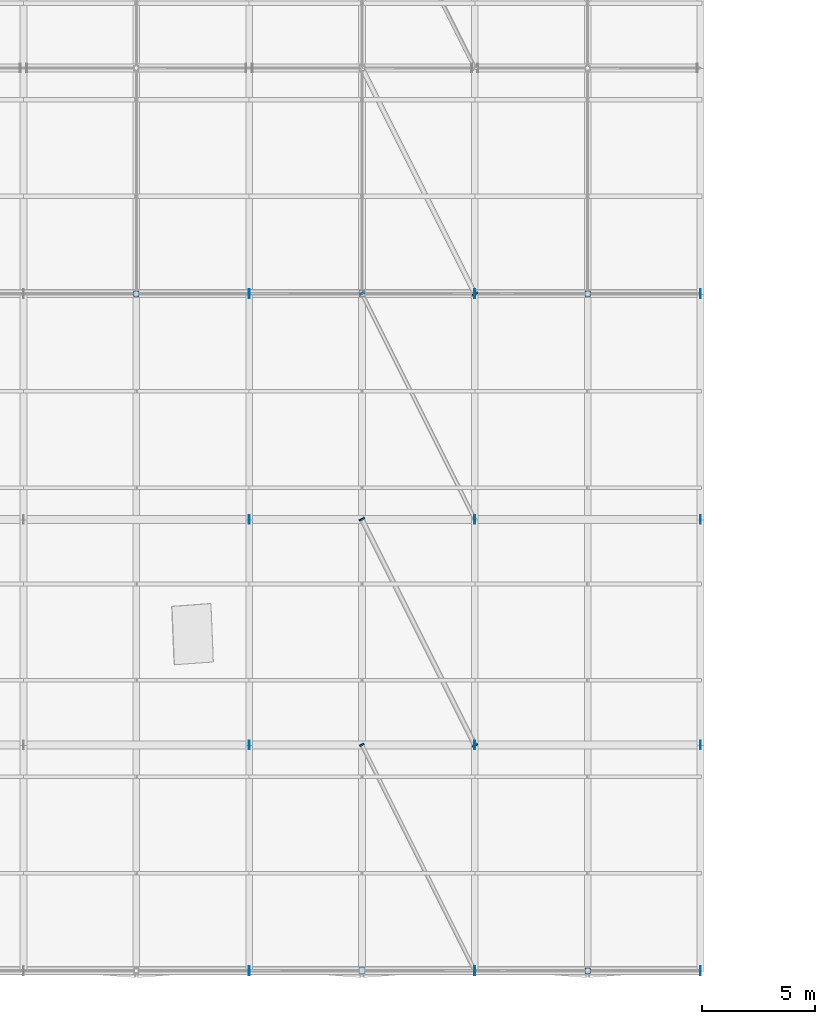
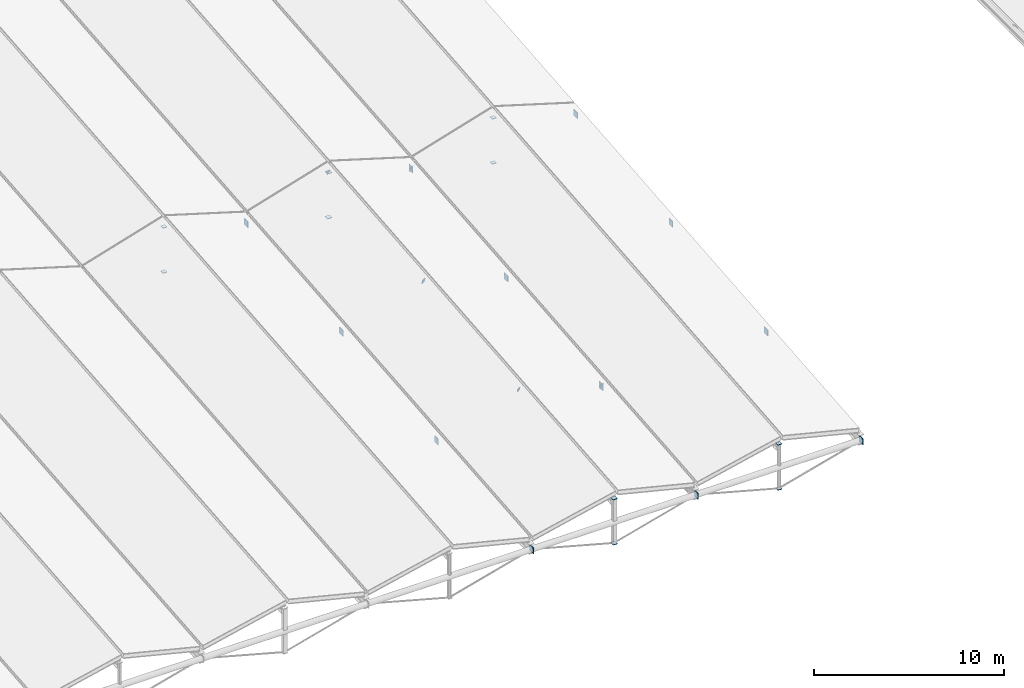
# One storey, part 81 of 90: 27 plates.
"""IFC4 building model written with IfcOpenShell, lengths in metres."""

import ifcopenshell
import ifcopenshell.guid

model = None  # the IFC model being written
_history = None  # IfcOwnerHistory: only IFC2X3 demands one
_inside = {}  # id of a spatial element -> (the spatial element, [elements in it])
_under = {}  # id of a project, library or spatial element -> (it, [spatial elements below it])
_declared = {}  # id of a project -> (the project, [libraries it declares])
_typed = {}  # id of a type object -> (the type object, [elements of that type])
_made_of = {}  # id of a material, layer set ... -> (it, [elements and type objects made of it])


def new_model(schema):
    """Start an empty IFC model of exactly this schema.

    Asked for "IFC4X3", IfcOpenShell would pick the latest addendum, in which some entities
    have other attributes; the version numbers below select the first issue.
    IFC2X3 requires an IfcOwnerHistory on every rooted entity: one is made here for all.
    """
    global model, _history
    if schema == "IFC4X3":
        model = ifcopenshell.file(schema_version=(4, 3, 0, 0))
    else:
        model = ifcopenshell.file(schema=schema)
    _inside.clear()
    _under.clear()
    _declared.clear()
    _typed.clear()
    _made_of.clear()
    _history = None
    if model.schema == "IFC2X3":
        org = make("IfcOrganization", Name="unknown")
        user = make(
            "IfcPersonAndOrganization",
            ThePerson=make("IfcPerson", FamilyName="unknown"),
            TheOrganization=org,
        )
        app = make(
            "IfcApplication",
            ApplicationDeveloper=org,
            Version="unknown",
            ApplicationFullName="unknown",
            ApplicationIdentifier="unknown",
        )
        _history = make(
            "IfcOwnerHistory",
            OwningUser=user,
            OwningApplication=app,
            ChangeAction="ADDED",
            CreationDate=0,
        )
    return model


def make(cls, **values):
    """One entity of the class cls with the attributes given. An attribute that is None is left unset."""
    return model.create_entity(
        cls, **{name: value for name, value in values.items() if value is not None}
    )


def rooted(cls, **values):
    """An entity with a GlobalId (a new one), such as an element, a storey or a relation."""
    return make(cls, GlobalId=ifcopenshell.guid.new(), OwnerHistory=_history, **values)


def si_unit(unit_type, name, prefix=None):
    """IfcSIUnit, for example si_unit("LENGTHUNIT", "METRE", prefix="MILLI")."""
    return make("IfcSIUnit", UnitType=unit_type, Prefix=prefix, Name=name)


def assignment(units):
    """IfcUnitAssignment: the units of a project."""
    return None if units is None else make("IfcUnitAssignment", Units=units)


def point(xyz):
    """IfcCartesianPoint."""
    return None if xyz is None else make("IfcCartesianPoint", Coordinates=xyz)


def direction(xyz):
    """IfcDirection."""
    return None if xyz is None else make("IfcDirection", DirectionRatios=xyz)


def frame(location, z_axis=None, x_axis=None):
    """IfcAxis2Placement3D, a coordinate frame: its origin and axes. An axis left out is left unset."""
    return make(
        "IfcAxis2Placement3D",
        Location=point(location),
        Axis=direction(z_axis),
        RefDirection=direction(x_axis),
    )


def frame_2d(location, x_axis=None):
    """IfcAxis2Placement2D, a coordinate frame in the plane: its origin and x axis."""
    return make(
        "IfcAxis2Placement2D", Location=point(location), RefDirection=direction(x_axis)
    )


def origin():
    """The frame at (0, 0, 0) with its axes left unset."""
    return frame((0.0, 0.0, 0.0))


def origin_2d():
    """The frame at (0, 0) in the plane with its x axis left unset."""
    return frame_2d((0.0, 0.0))


def place(relative_to, where):
    """IfcLocalPlacement: puts the frame where relative to a parent placement (None: the world)."""
    return make(
        "IfcLocalPlacement", PlacementRelTo=relative_to, RelativePlacement=where
    )


def context(
    kind, dimensions, precision=None, world=None, true_north=None, identifier=None
):
    """IfcGeometricRepresentationContext, for example the 3D "Model" context."""
    return make(
        "IfcGeometricRepresentationContext",
        ContextIdentifier=identifier,
        ContextType=kind,
        CoordinateSpaceDimension=dimensions,
        Precision=precision,
        WorldCoordinateSystem=world,
        TrueNorth=true_north,
    )


def subcontext(parent, identifier, kind, view, scale=None):
    """IfcGeometricRepresentationSubContext, for example "Body" below "Model"."""
    return make(
        "IfcGeometricRepresentationSubContext",
        ContextIdentifier=identifier,
        ContextType=kind,
        ParentContext=parent,
        TargetScale=scale,
        TargetView=view,
    )


def project(units=None, contexts=None):
    """IfcProject with its units and contexts."""
    return rooted(
        "IfcProject",
        Name="project",
        RepresentationContexts=contexts,
        UnitsInContext=assignment(units),
    )


def spatial(cls, under=None, at=None, **own):
    """A site, building, storey or space (cls), placed at a placement, below another one or the project."""
    s = rooted(cls, ObjectPlacement=at, **own)
    if under is not None:
        _under.setdefault(under.id(), (under, []))[1].append(s)
    return s


def profile(cls, at=None, kind="AREA", **sizes):
    """A parametric profile (cls). Its sizes go by their IFC names, for example OverallWidth=200.0."""
    return make(cls, ProfileType=kind, Position=at, **sizes)


def rectangle(**sizes):
    """IfcRectangleProfileDef."""
    return profile("IfcRectangleProfileDef", **sizes)


def extrude(swept, where, along, depth):
    """IfcExtrudedAreaSolid: the profile swept, set in the frame where, extruded along a direction by depth."""
    return make(
        "IfcExtrudedAreaSolid",
        SweptArea=swept,
        Position=where,
        ExtrudedDirection=direction(along),
        Depth=depth,
    )


def shape(context_of_items, identifier, shape_type, items):
    """IfcShapeRepresentation: the items that make up one representation, for example the "Body"."""
    return make(
        "IfcShapeRepresentation",
        ContextOfItems=context_of_items,
        RepresentationIdentifier=identifier,
        RepresentationType=shape_type,
        Items=items,
    )


def material(Name=None, Category=None):
    """IfcMaterial."""
    return make("IfcMaterial", Name=Name, Category=Category)


def layer(
    of_material, thickness, ventilated=None, Name=None, Category=None, Priority=None
):
    """IfcMaterialLayer: one layer of a wall or slab, of a material (None: an air gap)."""
    return make(
        "IfcMaterialLayer",
        Material=of_material,
        LayerThickness=thickness,
        IsVentilated=ventilated,
        Name=Name,
        Category=Category,
        Priority=Priority,
    )


def layer_set(layers, Name=None):
    """IfcMaterialLayerSet."""
    return make("IfcMaterialLayerSet", MaterialLayers=layers, LayerSetName=Name)


def made_of(thing, what):
    """Note that an element or type object is made of a material, layer set ...; save() writes the relation."""
    if what is not None:
        _made_of.setdefault(what.id(), (what, []))[1].append(thing)
    return thing


def type_object(cls, material=None, **own):
    """A type object (cls), such as IfcWallType, which elements share."""
    return made_of(rooted(cls, **own), material)


def element(
    cls,
    number,
    at=None,
    inside=None,
    cuts=None,
    type_object=None,
    material=None,
    context=None,
    identifier="Body",
    shape_type=None,
    held_by="IfcProductDefinitionShape",
    body=None,
    shapes=None,
    **own,
):
    """One element of the class cls, such as IfcWall. Its Tag is "e" and its number.

    at: its placement. inside: the storey or other place that contains it. cuts: it is an
    opening in that element (IfcRelVoidsElement). A single representation is given by context,
    identifier, shape_type and body (its items); several are given by shapes. held_by: the class
    of the entity that holds the representations. save() writes the other relations.
    """
    e = rooted(cls, Tag="e%d" % number, ObjectPlacement=at, **own)
    if body is not None:
        shapes = [shape(context, identifier, shape_type, body)]
    if shapes is not None:
        e.Representation = make(held_by, Representations=shapes)
    if inside is not None:
        _inside.setdefault(inside.id(), (inside, []))[1].append(e)
    if cuts is not None:
        rooted(
            "IfcRelVoidsElement", RelatingBuildingElement=cuts, RelatedOpeningElement=e
        )
    if type_object is not None:
        _typed.setdefault(type_object.id(), (type_object, []))[1].append(e)
    return made_of(e, material)


def aggregate(whole, parts):
    """IfcRelAggregates: a whole, such as a stair, and the parts it consists of."""
    return rooted("IfcRelAggregates", RelatingObject=whole, RelatedObjects=parts)


def save(model, path):
    """Write the relations noted so far, then the file.

    IfcRelAggregates (storeys below a building ...), IfcRelContainedInSpatialStructure (elements
    in a storey), IfcRelDefinesByType, IfcRelAssociatesMaterial and IfcRelDeclares: one each for
    every whole, place, type object, material and project.
    """
    for whole, parts in _under.values():
        aggregate(whole, parts)
    for where, things in _inside.values():
        rooted(
            "IfcRelContainedInSpatialStructure",
            RelatedElements=things,
            RelatingStructure=where,
        )
    for kind, things in _typed.values():
        rooted("IfcRelDefinesByType", RelatedObjects=things, RelatingType=kind)
    for what, things in _made_of.values():
        rooted("IfcRelAssociatesMaterial", RelatedObjects=things, RelatingMaterial=what)
    for by, libraries in _declared.values():
        rooted("IfcRelDeclares", RelatingContext=by, RelatedDefinitions=libraries)
    model.write(path)


model = new_model("IFC4")

# Units and contexts
model_context = context("Model", 3, precision=1e-05, world=origin(), true_north=direction((0.0, 1.0)))
body_context = subcontext(model_context, "Body", "Model", "MODEL_VIEW")
ifc_project = project(units=[si_unit("LENGTHUNIT", "METRE"), si_unit("AREAUNIT", "SQUARE_METRE"), si_unit("VOLUMEUNIT", "CUBIC_METRE"), si_unit("PLANEANGLEUNIT", "RADIAN"), si_unit("MASSUNIT", "GRAM", prefix="KILO"), si_unit("THERMODYNAMICTEMPERATUREUNIT", "KELVIN"), si_unit("POWERUNIT", "WATT")], contexts=[model_context])

# Site, building, storey
site_placement = place(None, origin())
site = spatial("IfcSite", under=ifc_project, at=site_placement, CompositionType="ELEMENT")
building_placement = place(site_placement, origin())
building = spatial("IfcBuilding", under=site, at=building_placement, Name="Korenveer Ferry Terminal", CompositionType="ELEMENT")
storey_placement = place(building_placement, frame((0.0, 0.0, 22.199951171875)))
storey = spatial("IfcBuildingStorey", under=building, at=storey_placement, Name="RF", CompositionType="ELEMENT", Elevation=22.199951171875)

# Plates
ifc_material = material(Name="Steel S355", Category="steel")
ifc_layer_1 = layer(ifc_material, 0.031982421875)
ifc_layer_set_1 = layer_set([ifc_layer_1], Name="Steel S355")
plate_type_1 = type_object("IfcPlateType", Name="STR-PLT-CAP32", PredefinedType="USERDEFINED", material=ifc_layer_set_1)
for number, where, z_axis, x_axis, name in (
    (1, (108.0, 20.0, -12.78369140625), (0.0, 0.0, 1.0), (1.0, 0.0, 0.0), "Hollow section end cap 285"),
    (2, (108.0, 20.0, -9.89208984375), (0.0, 0.0, 1.0), (1.0, 0.0, 0.0), "Hollow section end cap 286"),
):
    element("IfcPlate", number, at=place(storey_placement, frame(where, z_axis=z_axis, x_axis=x_axis)), inside=storey, type_object=plate_type_1, Name=name, ObjectType="END CAP PLATE", PredefinedType="USERDEFINED", context=body_context, shape_type="SweptSolid", body=[
        extrude(rectangle(XDim=0.280029296875, YDim=0.280029296875, at=origin_2d()), origin(), (0.0, 0.0, 1.0), 0.031982421875),
    ])
for number, where, z_axis, x_axis, name in (
    (3, (118.0, 20.0, -12.78369140625), (0.0, 0.0, 1.0), (1.0, 0.0, 0.0), "Hollow section end cap 288"),
    (4, (118.0, 20.0, -9.89208984375), (0.0, 0.0, 1.0), (1.0, 0.0, 0.0), "Hollow section end cap 289"),
    (5, (98.0, 50.0, -10.0595703125), (0.0, 0.0, 1.0), (1.0, 0.0, 0.0), "Hollow section end cap 320"),
    (6, (98.0, 50.0, -7.16796875), (0.0, 0.0, 1.0), (1.0, 0.0, 0.0), "Hollow section end cap 321"),
):
    element("IfcPlate", number, at=place(storey_placement, frame(where, z_axis=z_axis, x_axis=x_axis)), inside=storey, type_object=plate_type_1, Name=name, ObjectType="END CAP PLATE", PredefinedType="USERDEFINED", context=body_context, shape_type="SweptSolid", body=[
        extrude(rectangle(XDim=0.2490234375, YDim=0.2490234375, at=origin_2d()), origin(), (0.0, 0.0, 1.0), 0.031982421875),
    ])
for number, where, z_axis, x_axis, name in (
    (7, (108.0, 50.0, -10.0595703125), (0.0, 0.0, 1.0), (1.0, 0.0, 0.0), "Hollow section end cap 323"),
    (8, (108.0, 50.0, -7.16796875), (0.0, 0.0, 1.0), (1.0, 0.0, 0.0), "Hollow section end cap 324"),
):
    element("IfcPlate", number, at=place(storey_placement, frame(where, z_axis=z_axis, x_axis=x_axis)), inside=storey, type_object=plate_type_1, Name=name, ObjectType="END CAP PLATE", PredefinedType="USERDEFINED", context=body_context, shape_type="SweptSolid", body=[
        extrude(rectangle(XDim=0.280029296875, YDim=0.280029296875, at=origin_2d()), origin(), (0.0, 0.0, 1.0), 0.031982421875),
    ])
for number, where, z_axis, x_axis, name in (
    (9, (118.0, 50.0, -10.0595703125), (0.0, 0.0, 1.0), (1.0, 0.0, 0.0), "Hollow section end cap 326"),
    (10, (118.0, 50.0, -7.16796875), (0.0, 0.0, 1.0), (1.0, 0.0, 0.0), "Hollow section end cap 327"),
):
    element("IfcPlate", number, at=place(storey_placement, frame(where, z_axis=z_axis, x_axis=x_axis)), inside=storey, type_object=plate_type_1, Name=name, ObjectType="END CAP PLATE", PredefinedType="USERDEFINED", context=body_context, shape_type="SweptSolid", body=[
        extrude(rectangle(XDim=0.2490234375, YDim=0.2490234375, at=origin_2d()), origin(), (0.0, 0.0, 1.0), 0.031982421875),
    ])
plate_1_placement = place(storey_placement, frame((108.0, 30.0, -8.98388671875), z_axis=(-0.437110268059, 0.874220536117, 0.211360043028), x_axis=(-0.894427191, -0.4472135955, 0.0)))
element("IfcPlate", 11, at=plate_1_placement, inside=storey, type_object=plate_type_1, Name="Hollow section end cap 580", ObjectType="END CAP PLATE", PredefinedType="USERDEFINED", context=body_context, shape_type="SweptSolid", body=[
    extrude(rectangle(XDim=0.1982421875, YDim=0.1982421875, at=origin_2d()), origin(), (0.0, 0.0, 1.0), 0.031982421875),
])
for number, where, z_axis, x_axis, name in (
    (12, (113.01416015625, 29.97216796875, -10.50048828125), (-0.437110268059, 0.874220536117, 0.211360043028), (-0.894427191, -0.4472135955, 0.0), "Hollow section end cap 581"),
    (13, (108.0, 40.0, -8.075927734375), (-0.437110268059, 0.874220536117, 0.211360043028), (-0.894427191, -0.4472135955, 0.0), "Hollow section end cap 582"),
):
    element("IfcPlate", number, at=place(storey_placement, frame(where, z_axis=z_axis, x_axis=x_axis)), inside=storey, type_object=plate_type_1, Name=name, ObjectType="END CAP PLATE", PredefinedType="USERDEFINED", context=body_context, shape_type="SweptSolid", body=[
        extrude(rectangle(XDim=0.2490234375, YDim=0.2490234375, at=origin_2d()), origin(), (0.0, 0.0, 1.0), 0.031982421875),
    ])
plate_2_placement = place(storey_placement, frame((108.0, 50.0, -7.16796875), z_axis=(-0.437110268059, 0.874220536117, 0.211360043028), x_axis=(-0.894427191, -0.4472135955, 0.0)))
element("IfcPlate", 14, at=plate_2_placement, inside=storey, type_object=plate_type_1, Name="Hollow section end cap 583", ObjectType="END CAP PLATE", PredefinedType="USERDEFINED", context=body_context, shape_type="SweptSolid", body=[
    extrude(rectangle(XDim=0.1982421875, YDim=0.1982421875, at=origin_2d()), origin(), (0.0, 0.0, 1.0), 0.031982421875),
])
plate_3_placement = place(storey_placement, frame((113.01416015625, 49.97216796875, -8.684326171875), z_axis=(-0.437110268059, 0.874220536117, 0.211360043028), x_axis=(-0.894427191, -0.4472135955, 0.0)))
element("IfcPlate", 15, at=plate_3_placement, inside=storey, type_object=plate_type_1, Name="Hollow section end cap 584", ObjectType="END CAP PLATE", PredefinedType="USERDEFINED", context=body_context, shape_type="SweptSolid", body=[
    extrude(rectangle(XDim=0.2490234375, YDim=0.2490234375, at=origin_2d()), origin(), (0.0, 0.0, 1.0), 0.031982421875),
])
ifc_layer_2 = layer(ifc_material, 0.0419921875)
ifc_layer_set_2 = layer_set([ifc_layer_2], Name="Steel S355")
plate_type_2 = type_object("IfcPlateType", Name="STR-PLT-CAP42", PredefinedType="USERDEFINED", material=ifc_layer_set_2)
for number, where, z_axis, x_axis, name in (
    (16, (102.97998046875, 20.0, -11.401611328125), (1.0, 0.0, 0.0), (0.0, 1.0, 0.0), "Hollow section end cap 281"),
    (17, (112.97998046875, 20.0, -11.401611328125), (1.0, 0.0, 0.0), (0.0, 1.0, 0.0), "Hollow section end cap 284"),
    (18, (122.97998046875, 20.0, -11.401611328125), (1.0, 0.0, 0.0), (0.0, 1.0, 0.0), "Hollow section end cap 287"),
    (19, (102.97998046875, 30.0, -10.49365234375), (1.0, 0.0, 0.0), (0.0, 1.0, 0.0), "Hollow section end cap 295"),
    (20, (112.97998046875, 30.0, -10.49365234375), (1.0, 0.0, 0.0), (0.0, 1.0, 0.0), "Hollow section end cap 296"),
    (21, (122.97998046875, 30.0, -10.49365234375), (1.0, 0.0, 0.0), (0.0, 1.0, 0.0), "Hollow section end cap 297"),
    (22, (102.97998046875, 40.0, -9.585693359375), (1.0, 0.0, 0.0), (0.0, 1.0, 0.0), "Hollow section end cap 303"),
    (23, (112.97998046875, 40.0, -9.585693359375), (1.0, 0.0, 0.0), (0.0, 1.0, 0.0), "Hollow section end cap 304"),
    (24, (122.97998046875, 40.0, -9.585693359375), (1.0, 0.0, 0.0), (0.0, 1.0, 0.0), "Hollow section end cap 305"),
    (25, (102.97998046875, 50.0, -8.677734375), (1.0, 0.0, 0.0), (0.0, 1.0, 0.0), "Hollow section end cap 319"),
    (26, (112.97998046875, 50.0, -8.677734375), (1.0, 0.0, 0.0), (0.0, 1.0, 0.0), "Hollow section end cap 322"),
    (27, (122.97998046875, 50.0, -8.677734375), (1.0, 0.0, 0.0), (0.0, 1.0, 0.0), "Hollow section end cap 325"),
):
    element("IfcPlate", number, at=place(storey_placement, frame(where, z_axis=z_axis, x_axis=x_axis)), inside=storey, type_object=plate_type_2, Name=name, ObjectType="END CAP PLATE", PredefinedType="USERDEFINED", context=body_context, shape_type="SweptSolid", body=[
        extrude(rectangle(XDim=0.385498046875, YDim=0.385498046875, at=origin_2d()), origin(), (0.0, 0.0, 1.0), 0.0419921875),
    ])

save(model, "model.ifc")
